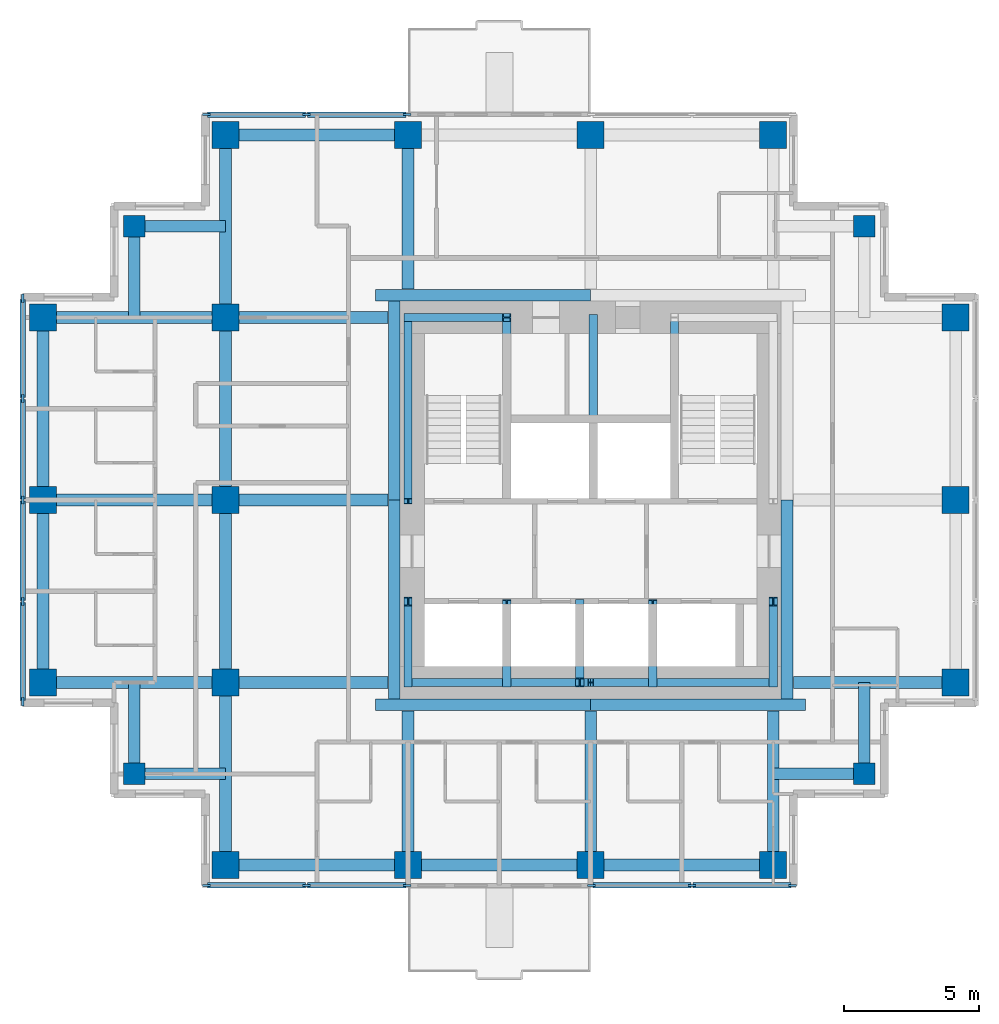
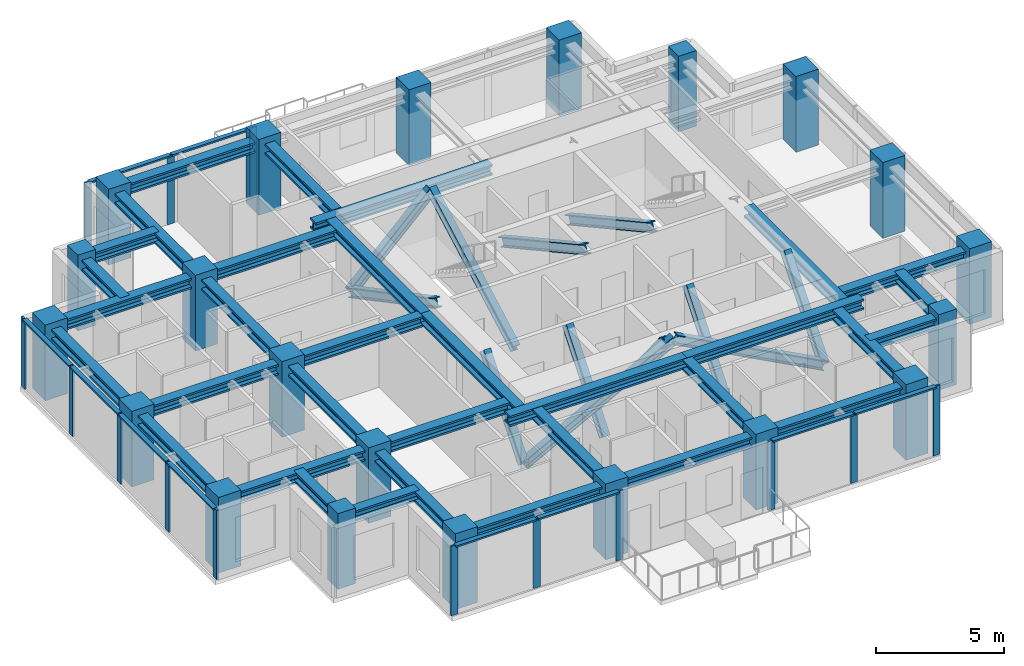
# One storey, part 1 of 8: 36 members, 33 beams, 21 columns, 4 elements without a shape of their own.
"""IFC4 building model written with IfcOpenShell, lengths in metres."""

from ifc_helpers import new_model, si_unit, direction, frame, origin, origin_2d, place, context, subcontext, project, spatial, rectangle, i_section, extrude, material, material_profile, profile_set, type_object, element, aggregate, save


model = new_model("IFC4")

# Units and contexts
model_context = context("Model", 3, precision=1e-05, world=origin(), true_north=direction((0.0, 1.0)))
body_context = subcontext(model_context, "Body", "Model", "MODEL_VIEW")
ifc_project = project(units=[si_unit("LENGTHUNIT", "METRE"), si_unit("AREAUNIT", "SQUARE_METRE"), si_unit("VOLUMEUNIT", "CUBIC_METRE"), si_unit("PLANEANGLEUNIT", "RADIAN"), si_unit("MASSUNIT", "GRAM", prefix="KILO")], contexts=[model_context])

# Site, building, storey
site_placement = place(None, origin())
site = spatial("IfcSite", under=ifc_project, at=site_placement, CompositionType="ELEMENT")
building_placement = place(site_placement, origin())
building = spatial("IfcBuilding", under=site, at=building_placement, Name="Nyansa Garden Tower", CompositionType="ELEMENT")
storey_placement = place(building_placement, frame((0.0, 0.0, 251.10009765625)))
storey = spatial("IfcBuildingStorey", under=building, at=storey_placement, Name="L68", CompositionType="ELEMENT", Elevation=251.10009765625)

# Columns
ifc_material_1 = material(Name="Concrete C70/85", Category="concrete")
ifc_material_profile_1 = material_profile(ifc_material_1, rectangle(XDim=1.0, YDim=1.0, at=origin_2d()), Name="RC 1000x1000")
ifc_profile_set_1 = profile_set([ifc_material_profile_1], Name="Concrete C70/85")
column_type_1 = type_object("IfcColumnType", Name="Column C100 RC 1000x1000", PredefinedType="COLUMN", material=ifc_profile_set_1)
for number, where, z_axis, x_axis, name in (
    (1, (0.0, 13.5, 0.0), (0.0, 0.0, 1.0), (1.0, 0.0, 0.0), "Column 2/F L68"),
    (2, (0.0, 20.25, 0.0), (0.0, 0.0, 1.0), (1.0, 0.0, 0.0), "Column 2/G L68"),
    (3, (0.0, 27.0, 0.0), (0.0, 0.0, 1.0), (1.0, 0.0, 0.0), "Column 2/H L68"),
    (4, (6.75, 6.75, 0.0), (0.0, 0.0, 1.0), (1.0, 0.0, 0.0), "Column 3/E L68"),
    (5, (6.75, 13.5, 0.0), (0.0, 0.0, 1.0), (1.0, 0.0, 0.0), "Column 3/F L68"),
    (6, (6.75, 20.25, 0.0), (0.0, 0.0, 1.0), (1.0, 0.0, 0.0), "Column 3/G L68"),
    (7, (6.75, 27.0, 0.0), (0.0, 0.0, 1.0), (1.0, 0.0, 0.0), "Column 3/H L68"),
    (8, (6.75, 33.75, 0.0), (0.0, 0.0, 1.0), (1.0, 0.0, 0.0), "Column 3/J L68"),
    (9, (13.5, 6.75, 0.0), (0.0, 0.0, 1.0), (1.0, 0.0, 0.0), "Column 4/E L68"),
    (10, (13.5, 33.75, 0.0), (0.0, 0.0, 1.0), (1.0, 0.0, 0.0), "Column 4/J L68"),
    (11, (20.25, 6.75, 0.0), (0.0, 0.0, 1.0), (1.0, 0.0, 0.0), "Column 5/E L68"),
    (12, (20.25, 33.75, 0.0), (0.0, 0.0, 1.0), (1.0, 0.0, 0.0), "Column 5/J L68"),
    (13, (27.0, 6.75, 0.0), (0.0, 0.0, 1.0), (1.0, 0.0, 0.0), "Column 6/E L68"),
    (14, (27.0, 33.75, 0.0), (0.0, 0.0, 1.0), (1.0, 0.0, 0.0), "Column 6/J L68"),
    (15, (33.75, 13.5, 0.0), (0.0, 0.0, 1.0), (1.0, 0.0, 0.0), "Column 7/F L68"),
    (16, (33.75, 20.25, 0.0), (0.0, 0.0, 1.0), (1.0, 0.0, 0.0), "Column 7/G L68"),
    (17, (33.75, 27.0, 0.0), (0.0, 0.0, 1.0), (1.0, 0.0, 0.0), "Column 7/H L68"),
):
    element("IfcColumn", number, at=place(storey_placement, frame(where, z_axis=z_axis, x_axis=x_axis)), inside=storey, type_object=column_type_1, Name=name, PredefinedType="COLUMN", context=body_context, shape_type="SweptSolid", body=[
        extrude(rectangle(XDim=1.0, YDim=1.0, at=origin_2d()), origin(), (0.0, 0.0, 1.0), 3.599853515625),
    ])
ifc_material_2 = material(Name="Concrete C70/85", Category="concrete")
ifc_material_profile_2 = material_profile(ifc_material_2, rectangle(XDim=0.800048828125, YDim=0.800048828125, at=origin_2d()), Name="RC 800x800")
ifc_profile_set_2 = profile_set([ifc_material_profile_2], Name="Concrete C70/85")
column_type_2 = type_object("IfcColumnType", Name="Column C80 RC 800x800", PredefinedType="COLUMN", material=ifc_profile_set_2)
for number, where, z_axis, x_axis, name in (
    (18, (3.375, 10.125, 0.0), (0.0, 0.0, 1.0), (1.0, 0.0, 0.0), "Column x3.375/y10.125 L68"),
    (19, (3.375, 30.375, 0.0), (0.0, 0.0, 1.0), (1.0, 0.0, 0.0), "Column x3.375/y30.375 L68"),
    (20, (30.375, 10.125, 0.0), (0.0, 0.0, 1.0), (1.0, 0.0, 0.0), "Column x30.375/y10.125 L68"),
    (21, (30.375, 30.375, 0.0), (0.0, 0.0, 1.0), (1.0, 0.0, 0.0), "Column x30.375/y30.375 L68"),
):
    element("IfcColumn", number, at=place(storey_placement, frame(where, z_axis=z_axis, x_axis=x_axis)), inside=storey, type_object=column_type_2, Name=name, PredefinedType="COLUMN", context=body_context, shape_type="SweptSolid", body=[
        extrude(rectangle(XDim=0.800048828125, YDim=0.800048828125, at=origin_2d()), origin(), (0.0, 0.0, 1.0), 3.599853515625),
    ])

# Curtain wall, members
ifc_material_3 = material(Name="Black anodised aluminium, dark tinted double glazing", Category="aluminium")
curtain_wall_type = type_object("IfcCurtainWallType", Name="Sky lounge curtain wall SLW", PredefinedType="USERDEFINED", material=ifc_material_3)
curtain_wall_1_placement = place(storey_placement, origin())
curtain_wall_1 = element("IfcCurtainWall", 22, at=curtain_wall_1_placement, inside=storey, type_object=curtain_wall_type, Name="Inner skin curtain wall L68 N", ObjectType="UNITISED CURTAIN WALL", PredefinedType="USERDEFINED")
ifc_material_4 = material(Name="Black anodised aluminium", Category="aluminium")
ifc_material_profile_3 = material_profile(ifc_material_4, rectangle(XDim=0.080078125, YDim=0.300048828125, at=origin_2d()), Name="Mullion 300x80")
ifc_profile_set_3 = profile_set([ifc_material_profile_3], Name="Black anodised aluminium")
member_type_1 = type_object("IfcMemberType", Name="Mullion SLW 300x80", PredefinedType="MULLION", material=ifc_profile_set_3)
member_1_placement = place(storey_placement, frame((13.4599609375, 34.5, 0.0), z_axis=(0.0, 0.0, 1.0), x_axis=(0.0, -1.0, 0.0)))
member_1 = element("IfcMember", 23, at=member_1_placement, type_object=member_type_1, Name="SLW mullion 1", PredefinedType="MULLION", context=body_context, shape_type="SweptSolid", body=[
    extrude(rectangle(XDim=0.080078125, YDim=0.300048828125, at=origin_2d()), origin(), (0.0, 0.0, 1.0), 3.2998046875),
])
member_2_placement = place(storey_placement, frame((9.75, 34.5, 0.0), z_axis=(0.0, 0.0, 1.0), x_axis=(0.0, -1.0, 0.0)))
member_2 = element("IfcMember", 24, at=member_2_placement, type_object=member_type_1, Name="SLW mullion 2", PredefinedType="MULLION", context=body_context, shape_type="SweptSolid", body=[
    extrude(rectangle(XDim=0.080078125, YDim=0.300048828125, at=origin_2d()), origin(), (0.0, 0.0, 1.0), 3.2998046875),
])
member_3_placement = place(storey_placement, frame((6.0400390625, 34.5, 0.0), z_axis=(0.0, 0.0, 1.0), x_axis=(0.0, -1.0, 0.0)))
member_3 = element("IfcMember", 25, at=member_3_placement, type_object=member_type_1, Name="SLW mullion 3", PredefinedType="MULLION", context=body_context, shape_type="SweptSolid", body=[
    extrude(rectangle(XDim=0.080078125, YDim=0.300048828125, at=origin_2d()), origin(), (0.0, 0.0, 1.0), 3.2998046875),
])

curtain_wall_2_placement = place(storey_placement, origin())
curtain_wall_2 = element("IfcCurtainWall", 26, at=curtain_wall_2_placement, inside=storey, type_object=curtain_wall_type, Name="Inner skin curtain wall L68 W", ObjectType="UNITISED CURTAIN WALL", PredefinedType="USERDEFINED")
member_4_placement = place(storey_placement, frame((-0.75, 27.7099609375, 0.0), z_axis=(0.0, 0.0, 1.0), x_axis=(1.0, 0.0, 0.0)))
member_4 = element("IfcMember", 27, at=member_4_placement, type_object=member_type_1, Name="SLW mullion 1", PredefinedType="MULLION", context=body_context, shape_type="SweptSolid", body=[
    extrude(rectangle(XDim=0.080078125, YDim=0.300048828125, at=origin_2d()), origin(), (0.0, 0.0, 1.0), 3.2998046875),
])
member_5_placement = place(storey_placement, frame((-0.75, 24.0, 0.0), z_axis=(0.0, 0.0, 1.0), x_axis=(1.0, 0.0, 0.0)))
member_5 = element("IfcMember", 28, at=member_5_placement, type_object=member_type_1, Name="SLW mullion 2", PredefinedType="MULLION", context=body_context, shape_type="SweptSolid", body=[
    extrude(rectangle(XDim=0.080078125, YDim=0.300048828125, at=origin_2d()), origin(), (0.0, 0.0, 1.0), 3.2998046875),
])
member_6_placement = place(storey_placement, frame((-0.75, 20.25, 0.0), z_axis=(0.0, 0.0, 1.0), x_axis=(1.0, 0.0, 0.0)))
member_6 = element("IfcMember", 29, at=member_6_placement, type_object=member_type_1, Name="SLW mullion 3", PredefinedType="MULLION", context=body_context, shape_type="SweptSolid", body=[
    extrude(rectangle(XDim=0.080078125, YDim=0.300048828125, at=origin_2d()), origin(), (0.0, 0.0, 1.0), 3.2998046875),
])
member_7_placement = place(storey_placement, frame((-0.75, 16.5, 0.0), z_axis=(0.0, 0.0, 1.0), x_axis=(1.0, 0.0, 0.0)))
member_7 = element("IfcMember", 30, at=member_7_placement, type_object=member_type_1, Name="SLW mullion 4", PredefinedType="MULLION", context=body_context, shape_type="SweptSolid", body=[
    extrude(rectangle(XDim=0.080078125, YDim=0.300048828125, at=origin_2d()), origin(), (0.0, 0.0, 1.0), 3.2998046875),
])
member_8_placement = place(storey_placement, frame((-0.75, 12.7900390625, 0.0), z_axis=(0.0, 0.0, 1.0), x_axis=(1.0, 0.0, 0.0)))
member_8 = element("IfcMember", 31, at=member_8_placement, type_object=member_type_1, Name="SLW mullion 5", PredefinedType="MULLION", context=body_context, shape_type="SweptSolid", body=[
    extrude(rectangle(XDim=0.080078125, YDim=0.300048828125, at=origin_2d()), origin(), (0.0, 0.0, 1.0), 3.2998046875),
])

curtain_wall_3_placement = place(storey_placement, origin())
curtain_wall_3 = element("IfcCurtainWall", 32, at=curtain_wall_3_placement, inside=storey, type_object=curtain_wall_type, Name="Inner skin curtain wall L68 S", ObjectType="UNITISED CURTAIN WALL", PredefinedType="USERDEFINED")
member_9_placement = place(storey_placement, frame((6.0400390625, 6.0, 0.0), z_axis=(0.0, 0.0, 1.0), x_axis=(0.0, 1.0, 0.0)))
member_9 = element("IfcMember", 33, at=member_9_placement, type_object=member_type_1, Name="SLW mullion 1", PredefinedType="MULLION", context=body_context, shape_type="SweptSolid", body=[
    extrude(rectangle(XDim=0.080078125, YDim=0.300048828125, at=origin_2d()), origin(), (0.0, 0.0, 1.0), 3.2998046875),
])
member_10_placement = place(storey_placement, frame((9.75, 6.0, 0.0), z_axis=(0.0, 0.0, 1.0), x_axis=(0.0, 1.0, 0.0)))
member_10 = element("IfcMember", 34, at=member_10_placement, type_object=member_type_1, Name="SLW mullion 2", PredefinedType="MULLION", context=body_context, shape_type="SweptSolid", body=[
    extrude(rectangle(XDim=0.080078125, YDim=0.300048828125, at=origin_2d()), origin(), (0.0, 0.0, 1.0), 3.2998046875),
])
member_11_placement = place(storey_placement, frame((13.4599609375, 6.0, 0.0), z_axis=(0.0, 0.0, 1.0), x_axis=(0.0, 1.0, 0.0)))
member_11 = element("IfcMember", 35, at=member_11_placement, type_object=member_type_1, Name="SLW mullion 3", PredefinedType="MULLION", context=body_context, shape_type="SweptSolid", body=[
    extrude(rectangle(XDim=0.080078125, YDim=0.300048828125, at=origin_2d()), origin(), (0.0, 0.0, 1.0), 3.2998046875),
])

curtain_wall_4_placement = place(storey_placement, origin())
curtain_wall_4 = element("IfcCurtainWall", 36, at=curtain_wall_4_placement, inside=storey, type_object=curtain_wall_type, Name="Inner skin curtain wall L68 S", ObjectType="UNITISED CURTAIN WALL", PredefinedType="USERDEFINED")
member_12_placement = place(storey_placement, frame((20.2900390625, 6.0, 0.0), z_axis=(0.0, 0.0, 1.0), x_axis=(0.0, 1.0, 0.0)))
member_12 = element("IfcMember", 37, at=member_12_placement, type_object=member_type_1, Name="SLW mullion 1", PredefinedType="MULLION", context=body_context, shape_type="SweptSolid", body=[
    extrude(rectangle(XDim=0.080078125, YDim=0.300048828125, at=origin_2d()), origin(), (0.0, 0.0, 1.0), 3.2998046875),
])
member_13_placement = place(storey_placement, frame((24.0, 6.0, 0.0), z_axis=(0.0, 0.0, 1.0), x_axis=(0.0, 1.0, 0.0)))
member_13 = element("IfcMember", 38, at=member_13_placement, type_object=member_type_1, Name="SLW mullion 2", PredefinedType="MULLION", context=body_context, shape_type="SweptSolid", body=[
    extrude(rectangle(XDim=0.080078125, YDim=0.300048828125, at=origin_2d()), origin(), (0.0, 0.0, 1.0), 3.2998046875),
])
member_14_placement = place(storey_placement, frame((27.7099609375, 6.0, 0.0), z_axis=(0.0, 0.0, 1.0), x_axis=(0.0, 1.0, 0.0)))
member_14 = element("IfcMember", 39, at=member_14_placement, type_object=member_type_1, Name="SLW mullion 3", PredefinedType="MULLION", context=body_context, shape_type="SweptSolid", body=[
    extrude(rectangle(XDim=0.080078125, YDim=0.300048828125, at=origin_2d()), origin(), (0.0, 0.0, 1.0), 3.2998046875),
])

# Members
ifc_material_5 = material(Name="Steel S355", Category="steel")
ifc_material_profile_4 = material_profile(ifc_material_5, i_section(OverallWidth=0.306884765625, OverallDepth=0.431884765625, WebThickness=0.02099609375, FlangeThickness=0.0400390625, FilletRadius=0.027099609375, at=origin_2d()), Name="HE 400 M")
ifc_profile_set_4 = profile_set([ifc_material_profile_4], Name="Steel S355")
member_type_2 = type_object("IfcMemberType", Name="Perimeter brace HE 400 M", PredefinedType="BRACE", material=ifc_profile_set_4)
for number, where, z_axis, x_axis, name in (
    (40, (13.5, 13.5, 0.0), (0.882360891967, 0.0, 0.470573327259), (0.0, 1.0, 0.0), "Core brace CS1 L68"),
    (41, (27.0, 13.5, 0.0), (-0.882360891967, 0.0, 0.470573327259), (0.0, -1.0, 0.0), "Core brace CS2 L68"),
):
    element("IfcMember", number, at=place(storey_placement, frame(where, z_axis=z_axis, x_axis=x_axis)), inside=storey, type_object=member_type_2, Name=name, PredefinedType="BRACE", context=body_context, shape_type="SweptSolid", body=[
        extrude(i_section(OverallWidth=0.306884765625, OverallDepth=0.431884765625, WebThickness=0.02099609375, FlangeThickness=0.0400390625, FilletRadius=0.027099609375, at=origin_2d()), origin(), (0.0, 0.0, 1.0), 7.64990234375),
    ])
member_15_placement = place(storey_placement, frame((13.5, 27.0, 0.0), z_axis=(0.711971340796, 0.0, 0.702208523079), x_axis=(0.0, 1.0, 0.0)))
element("IfcMember", 42, at=member_15_placement, inside=storey, type_object=member_type_2, Name="Core brace CN3 L68", PredefinedType="BRACE", context=body_context, shape_type="SweptSolid", body=[
    extrude(i_section(OverallWidth=0.306884765625, OverallDepth=0.431884765625, WebThickness=0.02099609375, FlangeThickness=0.0400390625, FilletRadius=0.027099609375, at=origin_2d()), origin(), (0.0, 0.0, 1.0), 5.12646484375),
])
member_16_placement = place(storey_placement, frame((13.5, 13.5, 0.0), z_axis=(0.0, 0.640199773186, 0.768208468069), x_axis=(-1.0, 0.0, 0.0)))
element("IfcMember", 43, at=member_16_placement, inside=storey, type_object=member_type_2, Name="Core brace CW5 L68", PredefinedType="BRACE", context=body_context, shape_type="SweptSolid", body=[
    extrude(i_section(OverallWidth=0.306884765625, OverallDepth=0.431884765625, WebThickness=0.02099609375, FlangeThickness=0.0400390625, FilletRadius=0.027099609375, at=origin_2d()), origin(), (0.0, 0.0, 1.0), 4.68603515625),
])
member_17_placement = place(storey_placement, frame((13.5, 27.0, 0.0), z_axis=(0.0, -0.883797178129, 0.467870225524), x_axis=(1.0, 0.0, 0.0)))
element("IfcMember", 44, at=member_17_placement, inside=storey, type_object=member_type_2, Name="Core brace CW6 L68", PredefinedType="BRACE", context=body_context, shape_type="SweptSolid", body=[
    extrude(i_section(OverallWidth=0.306884765625, OverallDepth=0.431884765625, WebThickness=0.02099609375, FlangeThickness=0.0400390625, FilletRadius=0.027099609375, at=origin_2d()), origin(), (0.0, 0.0, 1.0), 7.694091796875),
])
member_18_placement = place(storey_placement, frame((27.0, 13.5, 0.0), z_axis=(0.0, 0.640199773186, 0.768208468069), x_axis=(-1.0, 0.0, 0.0)))
element("IfcMember", 45, at=member_18_placement, inside=storey, type_object=member_type_2, Name="Core brace CE7 L68", PredefinedType="BRACE", context=body_context, shape_type="SweptSolid", body=[
    extrude(i_section(OverallWidth=0.306884765625, OverallDepth=0.431884765625, WebThickness=0.02099609375, FlangeThickness=0.0400390625, FilletRadius=0.027099609375, at=origin_2d()), origin(), (0.0, 0.0, 1.0), 4.68603515625),
])
for number, where, z_axis, x_axis, name in (
    (46, (17.14990234375, 20.449951171875, 0.0), (0.0, 0.876366901673, 0.481644115143), (-1.0, 0.0, 0.0), "Core brace CWS9 L68"),
    (47, (23.35009765625, 27.0, 0.0), (0.0, -0.876366901673, 0.481644115143), (1.0, 0.0, 0.0), "Core brace CES10 L68"),
):
    element("IfcMember", number, at=place(storey_placement, frame(where, z_axis=z_axis, x_axis=x_axis)), inside=storey, type_object=member_type_2, Name=name, PredefinedType="BRACE", context=body_context, shape_type="SweptSolid", body=[
        extrude(i_section(OverallWidth=0.306884765625, OverallDepth=0.431884765625, WebThickness=0.02099609375, FlangeThickness=0.0400390625, FilletRadius=0.027099609375, at=origin_2d()), origin(), (0.0, 0.0, 1.0), 7.47412109375),
    ])
for number, where, z_axis, x_axis, name in (
    (48, (17.14990234375, 13.5, 0.0), (0.0, 0.627332207022, 0.778751758928), (-1.0, 0.0, 0.0), "Core brace CSW11 L68"),
    (49, (19.85009765625, 16.39990234375, 0.0), (0.0, -0.627332207022, 0.778751758928), (1.0, 0.0, 0.0), "Core brace CSW12 L68"),
    (50, (22.550048828125, 13.5, 0.0), (0.0, 0.627332207022, 0.778751758928), (-1.0, 0.0, 0.0), "Core brace CSW13 L68"),
):
    element("IfcMember", number, at=place(storey_placement, frame(where, z_axis=z_axis, x_axis=x_axis)), inside=storey, type_object=member_type_2, Name=name, PredefinedType="BRACE", context=body_context, shape_type="SweptSolid", body=[
        extrude(i_section(OverallWidth=0.306884765625, OverallDepth=0.431884765625, WebThickness=0.02099609375, FlangeThickness=0.0400390625, FilletRadius=0.027099609375, at=origin_2d()), origin(), (0.0, 0.0, 1.0), 4.62255859375),
    ])
member_19_placement = place(storey_placement, frame((20.35009765625, 27.0, 0.0), z_axis=(0.0, -0.876366901673, 0.481644115143), x_axis=(1.0, 0.0, 0.0)))
element("IfcMember", 51, at=member_19_placement, inside=storey, type_object=member_type_2, Name="Core brace CNW14 L68", PredefinedType="BRACE", context=body_context, shape_type="SweptSolid", body=[
    extrude(i_section(OverallWidth=0.306884765625, OverallDepth=0.431884765625, WebThickness=0.02099609375, FlangeThickness=0.0400390625, FilletRadius=0.027099609375, at=origin_2d()), origin(), (0.0, 0.0, 1.0), 7.47412109375),
])

# Beams
ifc_material_6 = material(Name="Steel S355", Category="steel")
ifc_material_profile_5 = material_profile(ifc_material_6, i_section(OverallWidth=0.431884765625, OverallDepth=0.498046875, WebThickness=0.0556640625, FlangeThickness=0.0888671875, FilletRadius=0.014892578125, at=origin_2d()), Name="HD 400x744")
ifc_profile_set_5 = profile_set([ifc_material_profile_5], Name="Steel S355")
beam_type_1 = type_object("IfcBeamType", Name="Steel beam SBD1-744 HD 400x744", PredefinedType="BEAM", material=ifc_profile_set_5)
for number, where, z_axis, x_axis, name in (
    (52, (0.0, 13.5, 3.05078125), (1.0, 0.0, 0.0), (0.0, 1.0, 0.0), "Steel beam 2/F-3/F L69"),
    (53, (0.0, 20.25, 3.05078125), (1.0, 0.0, 0.0), (0.0, 1.0, 0.0), "Steel beam 2/G-3/G L69"),
    (54, (0.0, 27.0, 3.05078125), (1.0, 0.0, 0.0), (0.0, 1.0, 0.0), "Steel beam 2/H-3/H L69"),
    (55, (6.75, 6.75, 3.05078125), (0.0, 1.0, 0.0), (-1.0, 0.0, 0.0), "Steel beam 3/E-3/F L69"),
    (56, (6.75, 13.5, 3.05078125), (0.0, 1.0, 0.0), (-1.0, 0.0, 0.0), "Steel beam 3/F-3/G L69"),
):
    element("IfcBeam", number, at=place(storey_placement, frame(where, z_axis=z_axis, x_axis=x_axis)), inside=storey, type_object=beam_type_1, Name=name, PredefinedType="BEAM", context=body_context, shape_type="SweptSolid", body=[
        extrude(i_section(OverallWidth=0.431884765625, OverallDepth=0.498046875, WebThickness=0.0556640625, FlangeThickness=0.0888671875, FilletRadius=0.014892578125, at=origin_2d()), origin(), (0.0, 0.0, 1.0), 6.75),
    ])
beam_1_placement = place(storey_placement, frame((6.75, 13.5, 3.05078125), z_axis=(1.0, 0.0, 0.0), x_axis=(0.0, 1.0, 0.0)))
element("IfcBeam", 57, at=beam_1_placement, inside=storey, type_object=beam_type_1, Name="Steel beam 3/F-12.750/F L69", PredefinedType="BEAM", context=body_context, shape_type="SweptSolid", body=[
    extrude(i_section(OverallWidth=0.431884765625, OverallDepth=0.498046875, WebThickness=0.0556640625, FlangeThickness=0.0888671875, FilletRadius=0.014892578125, at=origin_2d()), origin(), (0.0, 0.0, 1.0), 6.0),
])
beam_2_placement = place(storey_placement, frame((6.75, 20.25, 3.05078125), z_axis=(0.0, 1.0, 0.0), x_axis=(-1.0, 0.0, 0.0)))
element("IfcBeam", 58, at=beam_2_placement, inside=storey, type_object=beam_type_1, Name="Steel beam 3/G-3/H L69", PredefinedType="BEAM", context=body_context, shape_type="SweptSolid", body=[
    extrude(i_section(OverallWidth=0.431884765625, OverallDepth=0.498046875, WebThickness=0.0556640625, FlangeThickness=0.0888671875, FilletRadius=0.014892578125, at=origin_2d()), origin(), (0.0, 0.0, 1.0), 6.75),
])
beam_3_placement = place(storey_placement, frame((6.75, 20.25, 3.05078125), z_axis=(1.0, 0.0, 0.0), x_axis=(0.0, 1.0, 0.0)))
element("IfcBeam", 59, at=beam_3_placement, inside=storey, type_object=beam_type_1, Name="Steel beam 3/G-12.750/G L69", PredefinedType="BEAM", context=body_context, shape_type="SweptSolid", body=[
    extrude(i_section(OverallWidth=0.431884765625, OverallDepth=0.498046875, WebThickness=0.0556640625, FlangeThickness=0.0888671875, FilletRadius=0.014892578125, at=origin_2d()), origin(), (0.0, 0.0, 1.0), 6.0),
])
beam_4_placement = place(storey_placement, frame((6.75, 27.0, 3.05078125), z_axis=(0.0, 1.0, 0.0), x_axis=(-1.0, 0.0, 0.0)))
element("IfcBeam", 60, at=beam_4_placement, inside=storey, type_object=beam_type_1, Name="Steel beam 3/H-3/J L69", PredefinedType="BEAM", context=body_context, shape_type="SweptSolid", body=[
    extrude(i_section(OverallWidth=0.431884765625, OverallDepth=0.498046875, WebThickness=0.0556640625, FlangeThickness=0.0888671875, FilletRadius=0.014892578125, at=origin_2d()), origin(), (0.0, 0.0, 1.0), 6.75),
])
beam_5_placement = place(storey_placement, frame((6.75, 27.0, 3.05078125), z_axis=(1.0, 0.0, 0.0), x_axis=(0.0, 1.0, 0.0)))
element("IfcBeam", 61, at=beam_5_placement, inside=storey, type_object=beam_type_1, Name="Steel beam 3/H-12.750/H L69", PredefinedType="BEAM", context=body_context, shape_type="SweptSolid", body=[
    extrude(i_section(OverallWidth=0.431884765625, OverallDepth=0.498046875, WebThickness=0.0556640625, FlangeThickness=0.0888671875, FilletRadius=0.014892578125, at=origin_2d()), origin(), (0.0, 0.0, 1.0), 6.0),
])
for number, where, z_axis, x_axis, name in (
    (62, (13.5, 6.75, 3.05078125), (0.0, 1.0, 0.0), (-1.0, 0.0, 0.0), "Steel beam 4/E-4/12.450 L69"),
    (63, (13.5, 28.050048828125, 3.05078125), (0.0, 1.0, 0.0), (-1.0, 0.0, 0.0), "Steel beam 4/28.050-4/J L69"),
    (64, (20.25, 6.75, 3.05078125), (0.0, 1.0, 0.0), (-1.0, 0.0, 0.0), "Steel beam 5/E-5/12.450 L69"),
    (65, (27.0, 6.75, 3.05078125), (0.0, 1.0, 0.0), (-1.0, 0.0, 0.0), "Steel beam 6/E-6/12.450 L69"),
):
    element("IfcBeam", number, at=place(storey_placement, frame(where, z_axis=z_axis, x_axis=x_axis)), inside=storey, type_object=beam_type_1, Name=name, PredefinedType="BEAM", context=body_context, shape_type="SweptSolid", body=[
        extrude(i_section(OverallWidth=0.431884765625, OverallDepth=0.498046875, WebThickness=0.0556640625, FlangeThickness=0.0888671875, FilletRadius=0.014892578125, at=origin_2d()), origin(), (0.0, 0.0, 1.0), 5.699951171875),
    ])
beam_6_placement = place(storey_placement, frame((27.75, 13.5, 3.05078125), z_axis=(1.0, 0.0, 0.0), x_axis=(0.0, 1.0, 0.0)))
element("IfcBeam", 66, at=beam_6_placement, inside=storey, type_object=beam_type_1, Name="Steel beam 27.750/F-7/F L69", PredefinedType="BEAM", context=body_context, shape_type="SweptSolid", body=[
    extrude(i_section(OverallWidth=0.431884765625, OverallDepth=0.498046875, WebThickness=0.0556640625, FlangeThickness=0.0888671875, FilletRadius=0.014892578125, at=origin_2d()), origin(), (0.0, 0.0, 1.0), 6.0),
])
ifc_material_7 = material(Name="Steel S355", Category="steel")
ifc_material_profile_6 = material_profile(ifc_material_7, i_section(OverallWidth=0.431884765625, OverallDepth=0.498046875, WebThickness=0.0556640625, FlangeThickness=0.0888671875, FilletRadius=0.014892578125, at=origin_2d()), Name="HD 400x744")
ifc_profile_set_6 = profile_set([ifc_material_profile_6], Name="Steel S355")
beam_type_2 = type_object("IfcBeamType", Name="Steel beam SEBD-744 HD 400x744", PredefinedType="BEAM", material=ifc_profile_set_6)
for number, where, z_axis, x_axis, name in (
    (67, (0.0, 13.5, 3.05078125), (0.0, 1.0, 0.0), (-1.0, 0.0, 0.0), "Steel edge beam 2/F-2/G L69"),
    (68, (0.0, 20.25, 3.05078125), (0.0, 1.0, 0.0), (-1.0, 0.0, 0.0), "Steel edge beam 2/G-2/H L69"),
    (69, (6.75, 6.75, 3.05078125), (1.0, 0.0, 0.0), (0.0, 1.0, 0.0), "Steel edge beam 3/E-4/E L69"),
    (70, (6.75, 33.75, 3.05078125), (1.0, 0.0, 0.0), (0.0, 1.0, 0.0), "Steel edge beam 3/J-4/J L69"),
    (71, (13.5, 6.75, 3.05078125), (1.0, 0.0, 0.0), (0.0, 1.0, 0.0), "Steel edge beam 4/E-5/E L69"),
    (72, (20.25, 6.75, 3.05078125), (1.0, 0.0, 0.0), (0.0, 1.0, 0.0), "Steel edge beam 5/E-6/E L69"),
):
    element("IfcBeam", number, at=place(storey_placement, frame(where, z_axis=z_axis, x_axis=x_axis)), inside=storey, type_object=beam_type_2, Name=name, PredefinedType="BEAM", context=body_context, shape_type="SweptSolid", body=[
        extrude(i_section(OverallWidth=0.431884765625, OverallDepth=0.498046875, WebThickness=0.0556640625, FlangeThickness=0.0888671875, FilletRadius=0.014892578125, at=origin_2d()), origin(), (0.0, 0.0, 1.0), 6.75),
    ])
ifc_material_8 = material(Name="Steel S355", Category="steel")
ifc_material_profile_7 = material_profile(ifc_material_8, i_section(OverallWidth=0.431884765625, OverallDepth=0.498046875, WebThickness=0.0556640625, FlangeThickness=0.0888671875, FilletRadius=0.014892578125, at=origin_2d()), Name="HD 400x744")
ifc_profile_set_7 = profile_set([ifc_material_profile_7], Name="Steel S355")
beam_type_3 = type_object("IfcBeamType", Name="Steel beam SLB1-744 HD 400x744", PredefinedType="BEAM", material=ifc_profile_set_7)
for number, where, z_axis, x_axis, name in (
    (73, (12.300048828125, 12.68408203125, 3.05078125), (1.0, 0.0, 0.0), (0.0, 1.0, 0.0), "Steel core ledger beam S.1 L69"),
    (74, (20.25, 12.68408203125, 3.05078125), (1.0, 0.0, 0.0), (0.0, 1.0, 0.0), "Steel core ledger beam S.2 L69"),
):
    element("IfcBeam", number, at=place(storey_placement, frame(where, z_axis=z_axis, x_axis=x_axis)), inside=storey, type_object=beam_type_3, Name=name, PredefinedType="BEAM", context=body_context, shape_type="SweptSolid", body=[
        extrude(i_section(OverallWidth=0.431884765625, OverallDepth=0.498046875, WebThickness=0.0556640625, FlangeThickness=0.0888671875, FilletRadius=0.014892578125, at=origin_2d()), origin(), (0.0, 0.0, 1.0), 7.949951171875),
    ])
beam_7_placement = place(storey_placement, frame((27.51611328125, 12.89990234375, 3.05078125), z_axis=(0.0, 1.0, 0.0), x_axis=(-1.0, 0.0, 0.0)))
element("IfcBeam", 75, at=beam_7_placement, inside=storey, type_object=beam_type_3, Name="Steel core ledger beam E.1 L69", PredefinedType="BEAM", context=body_context, shape_type="SweptSolid", body=[
    extrude(i_section(OverallWidth=0.431884765625, OverallDepth=0.498046875, WebThickness=0.0556640625, FlangeThickness=0.0888671875, FilletRadius=0.014892578125, at=origin_2d()), origin(), (0.0, 0.0, 1.0), 7.35009765625),
])
beam_8_placement = place(storey_placement, frame((20.25, 27.81591796875, 3.05078125), z_axis=(-1.0, 0.0, 0.0), x_axis=(0.0, -1.0, 0.0)))
element("IfcBeam", 76, at=beam_8_placement, inside=storey, type_object=beam_type_3, Name="Steel core ledger beam N.2 L69", PredefinedType="BEAM", context=body_context, shape_type="SweptSolid", body=[
    extrude(i_section(OverallWidth=0.431884765625, OverallDepth=0.498046875, WebThickness=0.0556640625, FlangeThickness=0.0888671875, FilletRadius=0.014892578125, at=origin_2d()), origin(), (0.0, 0.0, 1.0), 7.949951171875),
])
for number, where, z_axis, x_axis, name in (
    (77, (12.98388671875, 27.60009765625, 3.05078125), (0.0, -1.0, 0.0), (1.0, 0.0, 0.0), "Steel core ledger beam W.1 L69"),
    (78, (12.98388671875, 20.25, 3.05078125), (0.0, -1.0, 0.0), (1.0, 0.0, 0.0), "Steel core ledger beam W.2 L69"),
):
    element("IfcBeam", number, at=place(storey_placement, frame(where, z_axis=z_axis, x_axis=x_axis)), inside=storey, type_object=beam_type_3, Name=name, PredefinedType="BEAM", context=body_context, shape_type="SweptSolid", body=[
        extrude(i_section(OverallWidth=0.431884765625, OverallDepth=0.498046875, WebThickness=0.0556640625, FlangeThickness=0.0888671875, FilletRadius=0.014892578125, at=origin_2d()), origin(), (0.0, 0.0, 1.0), 7.35009765625),
    ])
ifc_material_9 = material(Name="Steel S355", Category="steel")
ifc_material_profile_8 = material_profile(ifc_material_9, i_section(OverallWidth=0.431884765625, OverallDepth=0.498046875, WebThickness=0.0556640625, FlangeThickness=0.0888671875, FilletRadius=0.014892578125, at=origin_2d()), Name="HD 400x744")
ifc_profile_set_8 = profile_set([ifc_material_profile_8], Name="Steel S355")
beam_type_4 = type_object("IfcBeamType", Name="Steel beam SSB1-744 HD 400x744", PredefinedType="BEAM", material=ifc_profile_set_8)
for number, where, z_axis, x_axis, name in (
    (79, (3.375, 10.125, 3.05078125), (0.0, 1.0, 0.0), (-1.0, 0.0, 0.0), "Steel step beam 3.375/10.125 L69"),
    (80, (3.375, 10.125, 3.05078125), (1.0, 0.0, 0.0), (0.0, 1.0, 0.0), "Steel step beam 3.375/10.125 L69"),
    (81, (30.375, 10.125, 3.05078125), (0.0, 1.0, 0.0), (-1.0, 0.0, 0.0), "Steel step beam 30.375/10.125 L69"),
    (82, (30.375, 10.125, 3.05078125), (-1.0, 0.0, 0.0), (0.0, -1.0, 0.0), "Steel step beam 30.375/10.125 L69"),
    (83, (3.375, 30.375, 3.05078125), (0.0, -1.0, 0.0), (1.0, 0.0, 0.0), "Steel step beam 3.375/30.375 L69"),
    (84, (3.375, 30.375, 3.05078125), (1.0, 0.0, 0.0), (0.0, 1.0, 0.0), "Steel step beam 3.375/30.375 L69"),
):
    element("IfcBeam", number, at=place(storey_placement, frame(where, z_axis=z_axis, x_axis=x_axis)), inside=storey, type_object=beam_type_4, Name=name, PredefinedType="BEAM", context=body_context, shape_type="SweptSolid", body=[
        extrude(i_section(OverallWidth=0.431884765625, OverallDepth=0.498046875, WebThickness=0.0556640625, FlangeThickness=0.0888671875, FilletRadius=0.014892578125, at=origin_2d()), origin(), (0.0, 0.0, 1.0), 3.375),
    ])

# Member
ifc_material_10 = material(Name="Black anodised aluminium", Category="aluminium")
ifc_material_profile_9 = material_profile(ifc_material_10, rectangle(XDim=0.199951171875, YDim=0.080078125, at=origin_2d()), Name="Transom 200x80")
ifc_profile_set_9 = profile_set([ifc_material_profile_9], Name="Black anodised aluminium")
member_type_3 = type_object("IfcMemberType", Name="Transom SLW 200x80", PredefinedType="USERDEFINED", material=ifc_profile_set_9)
member_20_placement = place(storey_placement, frame((13.419921875, 34.5, 3.260009765625), z_axis=(-1.0, 0.0, 0.0), x_axis=(0.0, -1.0, 0.0)))
member_20 = element("IfcMember", 85, at=member_20_placement, type_object=member_type_3, Name="SLW transom 1", ObjectType="TRANSOM", PredefinedType="USERDEFINED", context=body_context, shape_type="SweptSolid", body=[
    extrude(rectangle(XDim=0.199951171875, YDim=0.080078125, at=origin_2d()), origin(), (0.0, 0.0, 1.0), 3.6298828125),
])

member_21_placement = place(storey_placement, frame((9.7099609375, 34.5, 3.260009765625), z_axis=(-1.0, 0.0, 0.0), x_axis=(0.0, -1.0, 0.0)))
member_21 = element("IfcMember", 86, at=member_21_placement, type_object=member_type_3, Name="SLW transom 2", ObjectType="TRANSOM", PredefinedType="USERDEFINED", context=body_context, shape_type="SweptSolid", body=[
    extrude(rectangle(XDim=0.199951171875, YDim=0.080078125, at=origin_2d()), origin(), (0.0, 0.0, 1.0), 3.6298828125),
])

aggregate(curtain_wall_1, [member_1, member_2, member_3, member_20, member_21])

member_22_placement = place(storey_placement, frame((-0.75, 27.669921875, 3.260009765625), z_axis=(0.0, -1.0, 0.0), x_axis=(1.0, 0.0, 0.0)))
member_22 = element("IfcMember", 87, at=member_22_placement, type_object=member_type_3, Name="SLW transom 1", ObjectType="TRANSOM", PredefinedType="USERDEFINED", context=body_context, shape_type="SweptSolid", body=[
    extrude(rectangle(XDim=0.199951171875, YDim=0.080078125, at=origin_2d()), origin(), (0.0, 0.0, 1.0), 3.6298828125),
])

member_23_placement = place(storey_placement, frame((-0.75, 23.9599609375, 3.260009765625), z_axis=(0.0, -1.0, 0.0), x_axis=(1.0, 0.0, 0.0)))
member_23 = element("IfcMember", 88, at=member_23_placement, type_object=member_type_3, Name="SLW transom 2", ObjectType="TRANSOM", PredefinedType="USERDEFINED", context=body_context, shape_type="SweptSolid", body=[
    extrude(rectangle(XDim=0.199951171875, YDim=0.080078125, at=origin_2d()), origin(), (0.0, 0.0, 1.0), 3.669921875),
])

member_24_placement = place(storey_placement, frame((-0.75, 20.2099609375, 3.260009765625), z_axis=(0.0, -1.0, 0.0), x_axis=(1.0, 0.0, 0.0)))
member_24 = element("IfcMember", 89, at=member_24_placement, type_object=member_type_3, Name="SLW transom 3", ObjectType="TRANSOM", PredefinedType="USERDEFINED", context=body_context, shape_type="SweptSolid", body=[
    extrude(rectangle(XDim=0.199951171875, YDim=0.080078125, at=origin_2d()), origin(), (0.0, 0.0, 1.0), 3.669921875),
])

member_25_placement = place(storey_placement, frame((-0.75, 16.4599609375, 3.260009765625), z_axis=(0.0, -1.0, 0.0), x_axis=(1.0, 0.0, 0.0)))
member_25 = element("IfcMember", 90, at=member_25_placement, type_object=member_type_3, Name="SLW transom 4", ObjectType="TRANSOM", PredefinedType="USERDEFINED", context=body_context, shape_type="SweptSolid", body=[
    extrude(rectangle(XDim=0.199951171875, YDim=0.080078125, at=origin_2d()), origin(), (0.0, 0.0, 1.0), 3.6298828125),
])

aggregate(curtain_wall_2, [member_4, member_5, member_6, member_7, member_8, member_22, member_23, member_24, member_25])

member_26_placement = place(storey_placement, frame((6.080078125, 6.0, 3.260009765625), z_axis=(1.0, 0.0, 0.0), x_axis=(0.0, 1.0, 0.0)))
member_26 = element("IfcMember", 91, at=member_26_placement, type_object=member_type_3, Name="SLW transom 1", ObjectType="TRANSOM", PredefinedType="USERDEFINED", context=body_context, shape_type="SweptSolid", body=[
    extrude(rectangle(XDim=0.199951171875, YDim=0.080078125, at=origin_2d()), origin(), (0.0, 0.0, 1.0), 3.6298828125),
])

member_27_placement = place(storey_placement, frame((9.7900390625, 6.0, 3.260009765625), z_axis=(1.0, 0.0, 0.0), x_axis=(0.0, 1.0, 0.0)))
member_27 = element("IfcMember", 92, at=member_27_placement, type_object=member_type_3, Name="SLW transom 2", ObjectType="TRANSOM", PredefinedType="USERDEFINED", context=body_context, shape_type="SweptSolid", body=[
    extrude(rectangle(XDim=0.199951171875, YDim=0.080078125, at=origin_2d()), origin(), (0.0, 0.0, 1.0), 3.6298828125),
])

aggregate(curtain_wall_3, [member_9, member_10, member_11, member_26, member_27])

member_28_placement = place(storey_placement, frame((20.330078125, 6.0, 3.260009765625), z_axis=(1.0, 0.0, 0.0), x_axis=(0.0, 1.0, 0.0)))
member_28 = element("IfcMember", 93, at=member_28_placement, type_object=member_type_3, Name="SLW transom 1", ObjectType="TRANSOM", PredefinedType="USERDEFINED", context=body_context, shape_type="SweptSolid", body=[
    extrude(rectangle(XDim=0.199951171875, YDim=0.080078125, at=origin_2d()), origin(), (0.0, 0.0, 1.0), 3.6298828125),
])

member_29_placement = place(storey_placement, frame((24.0400390625, 6.0, 3.260009765625), z_axis=(1.0, 0.0, 0.0), x_axis=(0.0, 1.0, 0.0)))
member_29 = element("IfcMember", 94, at=member_29_placement, type_object=member_type_3, Name="SLW transom 2", ObjectType="TRANSOM", PredefinedType="USERDEFINED", context=body_context, shape_type="SweptSolid", body=[
    extrude(rectangle(XDim=0.199951171875, YDim=0.080078125, at=origin_2d()), origin(), (0.0, 0.0, 1.0), 3.6298828125),
])

aggregate(curtain_wall_4, [member_12, member_13, member_14, member_28, member_29])

save(model, "model.ifc")
